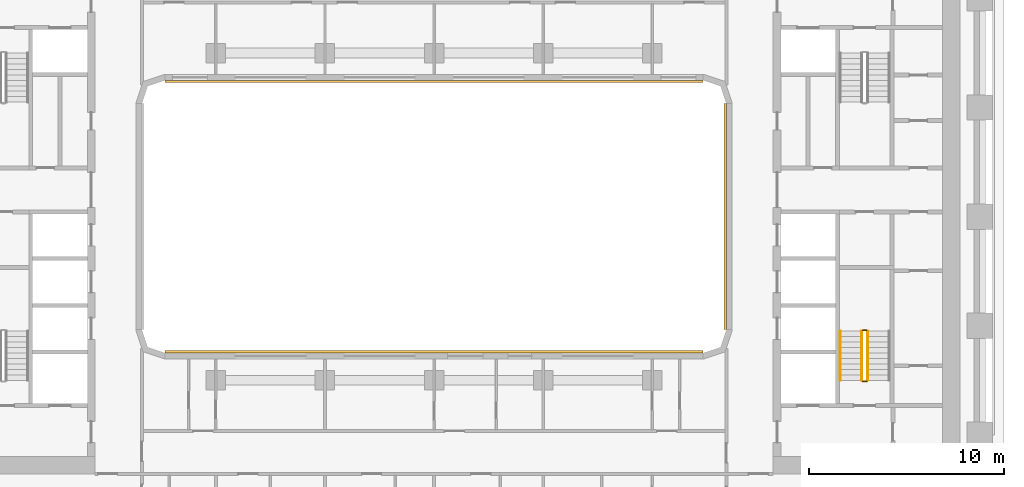
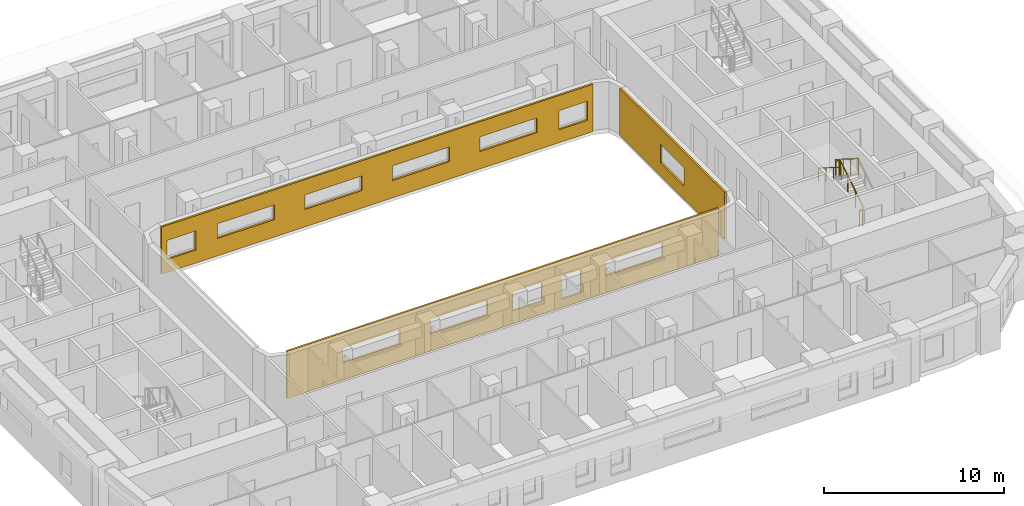
# One storey, part 17 of 22: 5 railings, 3 coverings.
"""IFC4 building model written with IfcOpenShell, lengths in metres."""

import ifcopenshell
import ifcopenshell.guid

model = None  # the IFC model being written
_history = None  # IfcOwnerHistory: only IFC2X3 demands one
_inside = {}  # id of a spatial element -> (the spatial element, [elements in it])
_under = {}  # id of a project, library or spatial element -> (it, [spatial elements below it])
_declared = {}  # id of a project -> (the project, [libraries it declares])
_typed = {}  # id of a type object -> (the type object, [elements of that type])
_made_of = {}  # id of a material, layer set ... -> (it, [elements and type objects made of it])


def new_model(schema):
    """Start an empty IFC model of exactly this schema.

    Asked for "IFC4X3", IfcOpenShell would pick the latest addendum, in which some entities
    have other attributes; the version numbers below select the first issue.
    IFC2X3 requires an IfcOwnerHistory on every rooted entity: one is made here for all.
    """
    global model, _history
    if schema == "IFC4X3":
        model = ifcopenshell.file(schema_version=(4, 3, 0, 0))
    else:
        model = ifcopenshell.file(schema=schema)
    _inside.clear()
    _under.clear()
    _declared.clear()
    _typed.clear()
    _made_of.clear()
    _history = None
    if model.schema == "IFC2X3":
        org = make("IfcOrganization", Name="unknown")
        user = make(
            "IfcPersonAndOrganization",
            ThePerson=make("IfcPerson", FamilyName="unknown"),
            TheOrganization=org,
        )
        app = make(
            "IfcApplication",
            ApplicationDeveloper=org,
            Version="unknown",
            ApplicationFullName="unknown",
            ApplicationIdentifier="unknown",
        )
        _history = make(
            "IfcOwnerHistory",
            OwningUser=user,
            OwningApplication=app,
            ChangeAction="ADDED",
            CreationDate=0,
        )
    return model


def make(cls, **values):
    """One entity of the class cls with the attributes given. An attribute that is None is left unset."""
    return model.create_entity(
        cls, **{name: value for name, value in values.items() if value is not None}
    )


def rooted(cls, **values):
    """An entity with a GlobalId (a new one), such as an element, a storey or a relation."""
    return make(cls, GlobalId=ifcopenshell.guid.new(), OwnerHistory=_history, **values)


def si_unit(unit_type, name, prefix=None):
    """IfcSIUnit, for example si_unit("LENGTHUNIT", "METRE", prefix="MILLI")."""
    return make("IfcSIUnit", UnitType=unit_type, Prefix=prefix, Name=name)


def assignment(units):
    """IfcUnitAssignment: the units of a project."""
    return None if units is None else make("IfcUnitAssignment", Units=units)


def point(xyz):
    """IfcCartesianPoint."""
    return None if xyz is None else make("IfcCartesianPoint", Coordinates=xyz)


def direction(xyz):
    """IfcDirection."""
    return None if xyz is None else make("IfcDirection", DirectionRatios=xyz)


def frame(location, z_axis=None, x_axis=None):
    """IfcAxis2Placement3D, a coordinate frame: its origin and axes. An axis left out is left unset."""
    return make(
        "IfcAxis2Placement3D",
        Location=point(location),
        Axis=direction(z_axis),
        RefDirection=direction(x_axis),
    )


def frame_2d(location, x_axis=None):
    """IfcAxis2Placement2D, a coordinate frame in the plane: its origin and x axis."""
    return make(
        "IfcAxis2Placement2D", Location=point(location), RefDirection=direction(x_axis)
    )


def origin():
    """The frame at (0, 0, 0) with its axes left unset."""
    return frame((0.0, 0.0, 0.0))


def origin_2d():
    """The frame at (0, 0) in the plane with its x axis left unset."""
    return frame_2d((0.0, 0.0))


def place(relative_to, where):
    """IfcLocalPlacement: puts the frame where relative to a parent placement (None: the world)."""
    return make(
        "IfcLocalPlacement", PlacementRelTo=relative_to, RelativePlacement=where
    )


def context(
    kind, dimensions, precision=None, world=None, true_north=None, identifier=None
):
    """IfcGeometricRepresentationContext, for example the 3D "Model" context."""
    return make(
        "IfcGeometricRepresentationContext",
        ContextIdentifier=identifier,
        ContextType=kind,
        CoordinateSpaceDimension=dimensions,
        Precision=precision,
        WorldCoordinateSystem=world,
        TrueNorth=true_north,
    )


def subcontext(parent, identifier, kind, view, scale=None):
    """IfcGeometricRepresentationSubContext, for example "Body" below "Model"."""
    return make(
        "IfcGeometricRepresentationSubContext",
        ContextIdentifier=identifier,
        ContextType=kind,
        ParentContext=parent,
        TargetScale=scale,
        TargetView=view,
    )


def project(units=None, contexts=None):
    """IfcProject with its units and contexts."""
    return rooted(
        "IfcProject",
        Name="project",
        RepresentationContexts=contexts,
        UnitsInContext=assignment(units),
    )


def spatial(cls, under=None, at=None, **own):
    """A site, building, storey or space (cls), placed at a placement, below another one or the project."""
    s = rooted(cls, ObjectPlacement=at, **own)
    if under is not None:
        _under.setdefault(under.id(), (under, []))[1].append(s)
    return s


def polyline(points):
    """IfcPolyline through the points."""
    return make("IfcPolyline", Points=[point(p) for p in points])


def profile(cls, at=None, kind="AREA", **sizes):
    """A parametric profile (cls). Its sizes go by their IFC names, for example OverallWidth=200.0."""
    return make(cls, ProfileType=kind, Position=at, **sizes)


def circle(**sizes):
    """IfcCircleProfileDef."""
    return profile("IfcCircleProfileDef", **sizes)


def outline(outer, holes=None, kind="AREA"):
    """IfcArbitraryClosedProfileDef: a profile drawn as a closed curve; with holes, ...WithVoids."""
    if holes is None:
        return make("IfcArbitraryClosedProfileDef", ProfileType=kind, OuterCurve=outer)
    return make(
        "IfcArbitraryProfileDefWithVoids",
        ProfileType=kind,
        OuterCurve=outer,
        InnerCurves=holes,
    )


def extrude(swept, where, along, depth):
    """IfcExtrudedAreaSolid: the profile swept, set in the frame where, extruded along a direction by depth."""
    return make(
        "IfcExtrudedAreaSolid",
        SweptArea=swept,
        Position=where,
        ExtrudedDirection=direction(along),
        Depth=depth,
    )


def shape(context_of_items, identifier, shape_type, items):
    """IfcShapeRepresentation: the items that make up one representation, for example the "Body"."""
    return make(
        "IfcShapeRepresentation",
        ContextOfItems=context_of_items,
        RepresentationIdentifier=identifier,
        RepresentationType=shape_type,
        Items=items,
    )


def material(Name=None, Category=None):
    """IfcMaterial."""
    return make("IfcMaterial", Name=Name, Category=Category)


def layer(
    of_material, thickness, ventilated=None, Name=None, Category=None, Priority=None
):
    """IfcMaterialLayer: one layer of a wall or slab, of a material (None: an air gap)."""
    return make(
        "IfcMaterialLayer",
        Material=of_material,
        LayerThickness=thickness,
        IsVentilated=ventilated,
        Name=Name,
        Category=Category,
        Priority=Priority,
    )


def layer_set(layers, Name=None):
    """IfcMaterialLayerSet."""
    return make("IfcMaterialLayerSet", MaterialLayers=layers, LayerSetName=Name)


def made_of(thing, what):
    """Note that an element or type object is made of a material, layer set ...; save() writes the relation."""
    if what is not None:
        _made_of.setdefault(what.id(), (what, []))[1].append(thing)
    return thing


def type_object(cls, material=None, **own):
    """A type object (cls), such as IfcWallType, which elements share."""
    return made_of(rooted(cls, **own), material)


def element(
    cls,
    number,
    at=None,
    inside=None,
    cuts=None,
    type_object=None,
    material=None,
    context=None,
    identifier="Body",
    shape_type=None,
    held_by="IfcProductDefinitionShape",
    body=None,
    shapes=None,
    **own,
):
    """One element of the class cls, such as IfcWall. Its Tag is "e" and its number.

    at: its placement. inside: the storey or other place that contains it. cuts: it is an
    opening in that element (IfcRelVoidsElement). A single representation is given by context,
    identifier, shape_type and body (its items); several are given by shapes. held_by: the class
    of the entity that holds the representations. save() writes the other relations.
    """
    e = rooted(cls, Tag="e%d" % number, ObjectPlacement=at, **own)
    if body is not None:
        shapes = [shape(context, identifier, shape_type, body)]
    if shapes is not None:
        e.Representation = make(held_by, Representations=shapes)
    if inside is not None:
        _inside.setdefault(inside.id(), (inside, []))[1].append(e)
    if cuts is not None:
        rooted(
            "IfcRelVoidsElement", RelatingBuildingElement=cuts, RelatedOpeningElement=e
        )
    if type_object is not None:
        _typed.setdefault(type_object.id(), (type_object, []))[1].append(e)
    return made_of(e, material)


def aggregate(whole, parts):
    """IfcRelAggregates: a whole, such as a stair, and the parts it consists of."""
    return rooted("IfcRelAggregates", RelatingObject=whole, RelatedObjects=parts)


def save(model, path):
    """Write the relations noted so far, then the file.

    IfcRelAggregates (storeys below a building ...), IfcRelContainedInSpatialStructure (elements
    in a storey), IfcRelDefinesByType, IfcRelAssociatesMaterial and IfcRelDeclares: one each for
    every whole, place, type object, material and project.
    """
    for whole, parts in _under.values():
        aggregate(whole, parts)
    for where, things in _inside.values():
        rooted(
            "IfcRelContainedInSpatialStructure",
            RelatedElements=things,
            RelatingStructure=where,
        )
    for kind, things in _typed.values():
        rooted("IfcRelDefinesByType", RelatedObjects=things, RelatingType=kind)
    for what, things in _made_of.values():
        rooted("IfcRelAssociatesMaterial", RelatedObjects=things, RelatingMaterial=what)
    for by, libraries in _declared.values():
        rooted("IfcRelDeclares", RelatingContext=by, RelatedDefinitions=libraries)
    model.write(path)


model = new_model("IFC4")

# Units and contexts
model_context = context("Model", 3, precision=1e-05, world=origin(), true_north=direction((0.0, 1.0)))
body_context = subcontext(model_context, "Body", "Model", "MODEL_VIEW")
ifc_project = project(units=[si_unit("LENGTHUNIT", "METRE"), si_unit("AREAUNIT", "SQUARE_METRE"), si_unit("VOLUMEUNIT", "CUBIC_METRE"), si_unit("PLANEANGLEUNIT", "RADIAN"), si_unit("MASSUNIT", "GRAM", prefix="KILO")], contexts=[model_context])

# Site, building, storey
site_placement = place(None, origin())
site = spatial("IfcSite", under=ifc_project, at=site_placement, CompositionType="ELEMENT")
building_placement = place(site_placement, origin())
building = spatial("IfcBuilding", under=site, at=building_placement, Name="Kiln Ring Residences", CompositionType="ELEMENT")
storey_placement = place(building_placement, frame((0.0, 0.0, 90.300048828125)))
storey = spatial("IfcBuildingStorey", under=building, at=storey_placement, Name="L22", CompositionType="ELEMENT", Elevation=90.300048828125)

# Railings
ifc_material_1 = material(Name="Stainless steel", Category="steel")
railing_type_1 = type_object("IfcRailingType", Name="CORE-STAIR-GUARD", PredefinedType="GUARDRAIL", material=ifc_material_1)
railing_1_placement = place(storey_placement, frame((22.25, -8.39990234375, 0.175048828125)))
element("IfcRailing", 1, at=railing_1_placement, inside=storey, type_object=railing_type_1, Name="L22 E-STS stair guard 1", PredefinedType="GUARDRAIL", context=body_context, shape_type="SweptSolid", body=[
    extrude(circle(Radius=0.02392578125, at=origin_2d()), frame((0.0, 0.0, 1.076171875), z_axis=(0.0, 0.848007534815, 0.529984170421), x_axis=(-1.0, 0.0, 0.0)), (0.0, 0.0, 1.0), 2.9716796875),
    extrude(circle(Radius=0.02099609375, at=origin_2d()), origin(), (0.0, 0.0, 1.0), 1.052001953125),
    extrude(circle(Radius=0.02099609375, at=origin_2d()), frame((0.0, 0.840087890625, 0.52490234375)), (0.0, 0.0, 1.0), 1.052001953125),
    extrude(circle(Radius=0.02099609375, at=origin_2d()), frame((0.0, 1.679931640625, 1.050048828125)), (0.0, 0.0, 1.0), 1.052001953125),
    extrude(circle(Radius=0.02099609375, at=origin_2d()), frame((0.0, 2.52001953125, 1.574951171875)), (0.0, 0.0, 1.0), 1.052001953125),
])
railing_2_placement = place(storey_placement, frame((22.199951171875, -5.830078125, 1.75)))
element("IfcRailing", 2, at=railing_2_placement, inside=storey, type_object=railing_type_1, Name="L22 E-STS stair guard 2", PredefinedType="GUARDRAIL", context=body_context, shape_type="SweptSolid", body=[
    extrude(circle(Radius=0.02392578125, at=origin_2d()), frame((0.0, 0.0, 1.076171875), z_axis=(-1.0, 0.0, 0.0), x_axis=(0.0, -1.0, 0.0)), (0.0, 0.0, 1.0), 0.199951171875),
    extrude(circle(Radius=0.02099609375, at=origin_2d()), origin(), (0.0, 0.0, 1.0), 1.052001953125),
    extrude(circle(Radius=0.02099609375, at=origin_2d()), frame((-0.199951171875, 0.0, 0.0)), (0.0, 0.0, 1.0), 1.052001953125),
])
railing_3_placement = place(storey_placement, frame((21.949951171875, -5.8798828125, 1.925048828125)))
element("IfcRailing", 3, at=railing_3_placement, inside=storey, type_object=railing_type_1, Name="L22 E-STS stair guard 3", PredefinedType="GUARDRAIL", context=body_context, shape_type="SweptSolid", body=[
    extrude(circle(Radius=0.02392578125, at=origin_2d()), frame((0.0, 0.0, 1.076171875), z_axis=(0.0, -0.848007534815, 0.529984170421), x_axis=(1.0, 0.0, 0.0)), (0.0, 0.0, 1.0), 2.9716796875),
    extrude(circle(Radius=0.02099609375, at=origin_2d()), origin(), (0.0, 0.0, 1.0), 1.052001953125),
    extrude(circle(Radius=0.02099609375, at=origin_2d()), frame((0.0, -0.840087890625, 0.52490234375)), (0.0, 0.0, 1.0), 1.052001953125),
    extrude(circle(Radius=0.02099609375, at=origin_2d()), frame((0.0, -1.679931640625, 1.050048828125)), (0.0, 0.0, 1.0), 1.052001953125),
    extrude(circle(Radius=0.02099609375, at=origin_2d()), frame((0.0, -2.52001953125, 1.574951171875)), (0.0, 0.0, 1.0), 1.052001953125),
])
railing_4_placement = place(storey_placement, frame((22.199951171875, -8.449951171875, 0.0)))
element("IfcRailing", 4, at=railing_4_placement, inside=storey, type_object=railing_type_1, Name="L22 E-STS stair guard 4", PredefinedType="GUARDRAIL", context=body_context, shape_type="SweptSolid", body=[
    extrude(circle(Radius=0.02392578125, at=origin_2d()), frame((0.0, 0.0, 1.076171875), z_axis=(-1.0, 0.0, 0.0), x_axis=(0.0, -1.0, 0.0)), (0.0, 0.0, 1.0), 0.199951171875),
    extrude(circle(Radius=0.02099609375, at=origin_2d()), origin(), (0.0, 0.0, 1.0), 1.052001953125),
    extrude(circle(Radius=0.02099609375, at=origin_2d()), frame((-0.199951171875, 0.0, 0.0)), (0.0, 0.0, 1.0), 1.052001953125),
])
ifc_material_2 = material(Name="Stainless steel", Category="steel")
railing_type_2 = type_object("IfcRailingType", Name="CORE-STAIR-HANDRAIL", PredefinedType="HANDRAIL", material=ifc_material_2)
railing_5_placement = place(storey_placement, frame((20.85009765625, -5.8798828125, 1.925048828125)))
element("IfcRailing", 5, at=railing_5_placement, inside=storey, type_object=railing_type_2, Name="L22 E-STS stair handrail 2", PredefinedType="HANDRAIL", context=body_context, shape_type="SweptSolid", body=[
    extrude(circle(Radius=0.02392578125, at=origin_2d()), frame((0.0, 0.0, 0.8759765625), z_axis=(0.0, -0.848007534815, 0.529984170421), x_axis=(1.0, 0.0, 0.0)), (0.0, 0.0, 1.0), 2.9716796875),
    extrude(circle(Radius=0.02099609375, at=origin_2d()), origin(), (0.0, 0.0, 1.0), 0.851806640625),
    extrude(circle(Radius=0.02099609375, at=origin_2d()), frame((0.0, -0.840087890625, 0.52490234375)), (0.0, 0.0, 1.0), 0.851806640625),
    extrude(circle(Radius=0.02099609375, at=origin_2d()), frame((0.0, -1.679931640625, 1.050048828125)), (0.0, 0.0, 1.0), 0.851806640625),
    extrude(circle(Radius=0.02099609375, at=origin_2d()), frame((0.0, -2.52001953125, 1.574951171875)), (0.0, 0.0, 1.0), 0.851806640625),
])

# Coverings
ifc_material_3 = material(Name="Brick masonry, dark clay brick", Category="masonry")
ifc_layer = layer(ifc_material_3, 0.1201171875)
ifc_layer_set = layer_set([ifc_layer], Name="RAINSCREEN PANEL 120")
covering_type = type_object("IfcCoveringType", Name="RAINSCREEN PANEL 120", PredefinedType="CLADDING", material=ifc_layer_set)
covering_1_placement = place(storey_placement, frame((-13.800048828125, 6.93994140625, 0.0), z_axis=(0.0, 0.0, 1.0), x_axis=(1.0, 0.0, 0.0)))
element("IfcCovering", 6, at=covering_1_placement, inside=storey, type_object=covering_type, Name="RAINSCREEN L22", PredefinedType="CLADDING", context=body_context, shape_type="SweptSolid", body=[
    extrude(outline(polyline([(0.0, 0.0), (27.60009765625, 0.0), (27.60009765625, 3.199951171875), (0.0, 3.199951171875), (0.0, 0.0)]), holes=[polyline([(2.1826171875, 0.8798828125), (2.1826171875, 2.169921875), (0.342529296875, 2.169921875), (0.342529296875, 0.8798828125), (2.1826171875, 0.8798828125)]), polyline([(25.41748046875, 0.8798828125), (27.257568359375, 0.8798828125), (27.257568359375, 2.169921875), (25.41748046875, 2.169921875), (25.41748046875, 0.8798828125)]), polyline([(3.580078125, 1.179931640625), (7.219970703125, 1.179931640625), (7.219970703125, 2.169921875), (3.580078125, 2.169921875), (3.580078125, 1.179931640625)]), polyline([(12.820068359375, 1.179931640625), (12.820068359375, 2.169921875), (9.179931640625, 2.169921875), (9.179931640625, 1.179931640625), (12.820068359375, 1.179931640625)]), polyline([(14.780029296875, 1.179931640625), (18.419921875, 1.179931640625), (18.419921875, 2.169921875), (14.780029296875, 2.169921875), (14.780029296875, 1.179931640625)]), polyline([(20.3798828125, 1.179931640625), (24.02001953125, 1.179931640625), (24.02001953125, 2.169921875), (20.3798828125, 2.169921875), (20.3798828125, 1.179931640625)])]), frame((0.0, 0.06005859375, 0.0), z_axis=(0.0, -1.0, 0.0), x_axis=(1.0, 0.0, 0.0)), (0.0, 0.0, 1.0), 0.1201171875),
])
covering_2_placement = place(storey_placement, frame((14.93994140625, 5.800048828125, 0.0), z_axis=(0.0, 0.0, 1.0), x_axis=(0.0, -1.0, 0.0)))
element("IfcCovering", 7, at=covering_2_placement, inside=storey, type_object=covering_type, Name="RAINSCREEN L22", PredefinedType="CLADDING", context=body_context, shape_type="SweptSolid", body=[
    extrude(outline(polyline([(0.0, 0.0), (11.60009765625, 0.0), (11.60009765625, 3.199951171875), (0.0, 3.199951171875), (0.0, 0.0)]), holes=[polyline([(4.5, 2.14990234375), (4.5, 0.89990234375), (7.10009765625, 0.89990234375), (7.10009765625, 2.14990234375), (4.5, 2.14990234375)])]), frame((0.0, 0.06005859375, 0.0), z_axis=(0.0, -1.0, 0.0), x_axis=(1.0, 0.0, 0.0)), (0.0, 0.0, 1.0), 0.1201171875),
])
covering_3_placement = place(storey_placement, frame((13.800048828125, -6.93994140625, 0.0), z_axis=(0.0, 0.0, 1.0), x_axis=(-1.0, 0.0, 0.0)))
element("IfcCovering", 8, at=covering_3_placement, inside=storey, type_object=covering_type, Name="RAINSCREEN L22", PredefinedType="CLADDING", context=body_context, shape_type="SweptSolid", body=[
    extrude(outline(polyline([(0.0, 0.0), (27.60009765625, 0.0), (27.60009765625, 3.199951171875), (0.0, 3.199951171875), (0.0, 0.0)]), holes=[polyline([(10.02001953125, 0.579833984375), (10.02001953125, 2.169921875), (8.780029296875, 2.169921875), (8.780029296875, 0.579833984375), (10.02001953125, 0.579833984375)]), polyline([(13.1201171875, 0.8798828125), (13.1201171875, 2.169921875), (11.280029296875, 2.169921875), (11.280029296875, 0.8798828125), (13.1201171875, 0.8798828125)]), polyline([(7.219970703125, 1.179931640625), (7.219970703125, 2.169921875), (3.580078125, 2.169921875), (3.580078125, 1.179931640625), (7.219970703125, 1.179931640625)]), polyline([(14.780029296875, 1.179931640625), (18.419921875, 1.179931640625), (18.419921875, 2.169921875), (14.780029296875, 2.169921875), (14.780029296875, 1.179931640625)]), polyline([(20.3798828125, 1.179931640625), (24.02001953125, 1.179931640625), (24.02001953125, 2.169921875), (20.3798828125, 2.169921875), (20.3798828125, 1.179931640625)])]), frame((0.0, 0.06005859375, 0.0), z_axis=(0.0, -1.0, 0.0), x_axis=(1.0, 0.0, 0.0)), (0.0, 0.0, 1.0), 0.1201171875),
])

save(model, "model.ifc")
